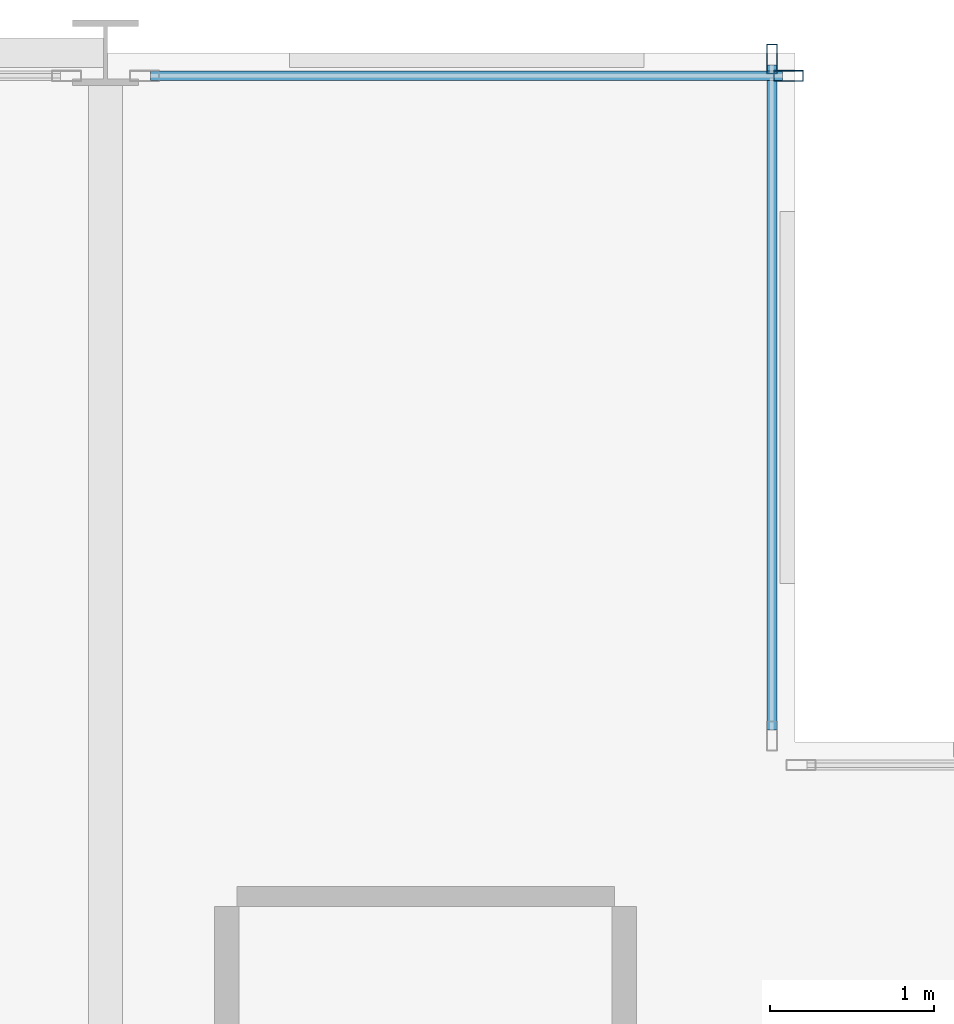
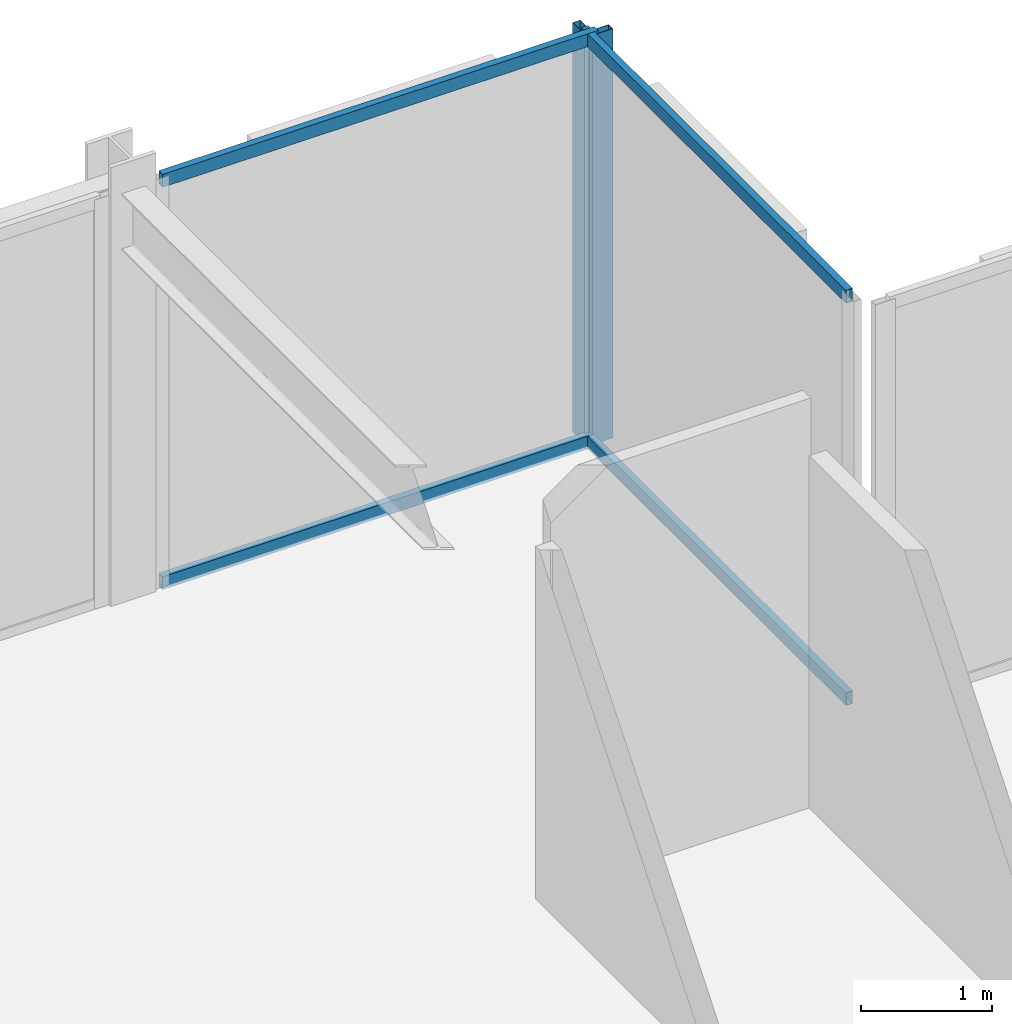
# One storey, part 30 of 38: 6 members, 2 elements without a shape of their own.
"""IFC4 building model written with IfcOpenShell, lengths in metres."""

import ifcopenshell
import ifcopenshell.guid

model = None  # the IFC model being written
_history = None  # IfcOwnerHistory: only IFC2X3 demands one
_inside = {}  # id of a spatial element -> (the spatial element, [elements in it])
_under = {}  # id of a project, library or spatial element -> (it, [spatial elements below it])
_declared = {}  # id of a project -> (the project, [libraries it declares])
_typed = {}  # id of a type object -> (the type object, [elements of that type])
_made_of = {}  # id of a material, layer set ... -> (it, [elements and type objects made of it])


def new_model(schema):
    """Start an empty IFC model of exactly this schema.

    Asked for "IFC4X3", IfcOpenShell would pick the latest addendum, in which some entities
    have other attributes; the version numbers below select the first issue.
    IFC2X3 requires an IfcOwnerHistory on every rooted entity: one is made here for all.
    """
    global model, _history
    if schema == "IFC4X3":
        model = ifcopenshell.file(schema_version=(4, 3, 0, 0))
    else:
        model = ifcopenshell.file(schema=schema)
    _inside.clear()
    _under.clear()
    _declared.clear()
    _typed.clear()
    _made_of.clear()
    _history = None
    if model.schema == "IFC2X3":
        org = make("IfcOrganization", Name="unknown")
        user = make(
            "IfcPersonAndOrganization",
            ThePerson=make("IfcPerson", FamilyName="unknown"),
            TheOrganization=org,
        )
        app = make(
            "IfcApplication",
            ApplicationDeveloper=org,
            Version="unknown",
            ApplicationFullName="unknown",
            ApplicationIdentifier="unknown",
        )
        _history = make(
            "IfcOwnerHistory",
            OwningUser=user,
            OwningApplication=app,
            ChangeAction="ADDED",
            CreationDate=0,
        )
    return model


def make(cls, **values):
    """One entity of the class cls with the attributes given. An attribute that is None is left unset."""
    return model.create_entity(
        cls, **{name: value for name, value in values.items() if value is not None}
    )


def rooted(cls, **values):
    """An entity with a GlobalId (a new one), such as an element, a storey or a relation."""
    return make(cls, GlobalId=ifcopenshell.guid.new(), OwnerHistory=_history, **values)


def si_unit(unit_type, name, prefix=None):
    """IfcSIUnit, for example si_unit("LENGTHUNIT", "METRE", prefix="MILLI")."""
    return make("IfcSIUnit", UnitType=unit_type, Prefix=prefix, Name=name)


def assignment(units):
    """IfcUnitAssignment: the units of a project."""
    return None if units is None else make("IfcUnitAssignment", Units=units)


def point(xyz):
    """IfcCartesianPoint."""
    return None if xyz is None else make("IfcCartesianPoint", Coordinates=xyz)


def direction(xyz):
    """IfcDirection."""
    return None if xyz is None else make("IfcDirection", DirectionRatios=xyz)


def frame(location, z_axis=None, x_axis=None):
    """IfcAxis2Placement3D, a coordinate frame: its origin and axes. An axis left out is left unset."""
    return make(
        "IfcAxis2Placement3D",
        Location=point(location),
        Axis=direction(z_axis),
        RefDirection=direction(x_axis),
    )


def frame_2d(location, x_axis=None):
    """IfcAxis2Placement2D, a coordinate frame in the plane: its origin and x axis."""
    return make(
        "IfcAxis2Placement2D", Location=point(location), RefDirection=direction(x_axis)
    )


def origin():
    """The frame at (0, 0, 0) with its axes left unset."""
    return frame((0.0, 0.0, 0.0))


def origin_2d():
    """The frame at (0, 0) in the plane with its x axis left unset."""
    return frame_2d((0.0, 0.0))


def place(relative_to, where):
    """IfcLocalPlacement: puts the frame where relative to a parent placement (None: the world)."""
    return make(
        "IfcLocalPlacement", PlacementRelTo=relative_to, RelativePlacement=where
    )


def context(
    kind, dimensions, precision=None, world=None, true_north=None, identifier=None
):
    """IfcGeometricRepresentationContext, for example the 3D "Model" context."""
    return make(
        "IfcGeometricRepresentationContext",
        ContextIdentifier=identifier,
        ContextType=kind,
        CoordinateSpaceDimension=dimensions,
        Precision=precision,
        WorldCoordinateSystem=world,
        TrueNorth=true_north,
    )


def subcontext(parent, identifier, kind, view, scale=None):
    """IfcGeometricRepresentationSubContext, for example "Body" below "Model"."""
    return make(
        "IfcGeometricRepresentationSubContext",
        ContextIdentifier=identifier,
        ContextType=kind,
        ParentContext=parent,
        TargetScale=scale,
        TargetView=view,
    )


def project(units=None, contexts=None):
    """IfcProject with its units and contexts."""
    return rooted(
        "IfcProject",
        Name="project",
        RepresentationContexts=contexts,
        UnitsInContext=assignment(units),
    )


def spatial(cls, under=None, at=None, **own):
    """A site, building, storey or space (cls), placed at a placement, below another one or the project."""
    s = rooted(cls, ObjectPlacement=at, **own)
    if under is not None:
        _under.setdefault(under.id(), (under, []))[1].append(s)
    return s


def profile(cls, at=None, kind="AREA", **sizes):
    """A parametric profile (cls). Its sizes go by their IFC names, for example OverallWidth=200.0."""
    return make(cls, ProfileType=kind, Position=at, **sizes)


def hollow_rectangle(**sizes):
    """IfcRectangleHollowProfileDef."""
    return profile("IfcRectangleHollowProfileDef", **sizes)


def extrude(swept, where, along, depth):
    """IfcExtrudedAreaSolid: the profile swept, set in the frame where, extruded along a direction by depth."""
    return make(
        "IfcExtrudedAreaSolid",
        SweptArea=swept,
        Position=where,
        ExtrudedDirection=direction(along),
        Depth=depth,
    )


def shape(context_of_items, identifier, shape_type, items):
    """IfcShapeRepresentation: the items that make up one representation, for example the "Body"."""
    return make(
        "IfcShapeRepresentation",
        ContextOfItems=context_of_items,
        RepresentationIdentifier=identifier,
        RepresentationType=shape_type,
        Items=items,
    )


def material(Name=None, Category=None):
    """IfcMaterial."""
    return make("IfcMaterial", Name=Name, Category=Category)


def layer(
    of_material, thickness, ventilated=None, Name=None, Category=None, Priority=None
):
    """IfcMaterialLayer: one layer of a wall or slab, of a material (None: an air gap)."""
    return make(
        "IfcMaterialLayer",
        Material=of_material,
        LayerThickness=thickness,
        IsVentilated=ventilated,
        Name=Name,
        Category=Category,
        Priority=Priority,
    )


def layer_set(layers, Name=None):
    """IfcMaterialLayerSet."""
    return make("IfcMaterialLayerSet", MaterialLayers=layers, LayerSetName=Name)


def material_profile(
    of_material, cross_section, Name=None, Category=None, Priority=None
):
    """IfcMaterialProfile: a cross section and its material."""
    return make(
        "IfcMaterialProfile",
        Name=Name,
        Material=of_material,
        Profile=cross_section,
        Priority=Priority,
        Category=Category,
    )


def profile_set(profiles, Name=None, composite=None):
    """IfcMaterialProfileSet."""
    return make(
        "IfcMaterialProfileSet",
        Name=Name,
        MaterialProfiles=profiles,
        CompositeProfile=composite,
    )


def made_of(thing, what):
    """Note that an element or type object is made of a material, layer set ...; save() writes the relation."""
    if what is not None:
        _made_of.setdefault(what.id(), (what, []))[1].append(thing)
    return thing


def type_object(cls, material=None, **own):
    """A type object (cls), such as IfcWallType, which elements share."""
    return made_of(rooted(cls, **own), material)


def element(
    cls,
    number,
    at=None,
    inside=None,
    cuts=None,
    type_object=None,
    material=None,
    context=None,
    identifier="Body",
    shape_type=None,
    held_by="IfcProductDefinitionShape",
    body=None,
    shapes=None,
    **own,
):
    """One element of the class cls, such as IfcWall. Its Tag is "e" and its number.

    at: its placement. inside: the storey or other place that contains it. cuts: it is an
    opening in that element (IfcRelVoidsElement). A single representation is given by context,
    identifier, shape_type and body (its items); several are given by shapes. held_by: the class
    of the entity that holds the representations. save() writes the other relations.
    """
    e = rooted(cls, Tag="e%d" % number, ObjectPlacement=at, **own)
    if body is not None:
        shapes = [shape(context, identifier, shape_type, body)]
    if shapes is not None:
        e.Representation = make(held_by, Representations=shapes)
    if inside is not None:
        _inside.setdefault(inside.id(), (inside, []))[1].append(e)
    if cuts is not None:
        rooted(
            "IfcRelVoidsElement", RelatingBuildingElement=cuts, RelatedOpeningElement=e
        )
    if type_object is not None:
        _typed.setdefault(type_object.id(), (type_object, []))[1].append(e)
    return made_of(e, material)


def aggregate(whole, parts):
    """IfcRelAggregates: a whole, such as a stair, and the parts it consists of."""
    return rooted("IfcRelAggregates", RelatingObject=whole, RelatedObjects=parts)


def save(model, path):
    """Write the relations noted so far, then the file.

    IfcRelAggregates (storeys below a building ...), IfcRelContainedInSpatialStructure (elements
    in a storey), IfcRelDefinesByType, IfcRelAssociatesMaterial and IfcRelDeclares: one each for
    every whole, place, type object, material and project.
    """
    for whole, parts in _under.values():
        aggregate(whole, parts)
    for where, things in _inside.values():
        rooted(
            "IfcRelContainedInSpatialStructure",
            RelatedElements=things,
            RelatingStructure=where,
        )
    for kind, things in _typed.values():
        rooted("IfcRelDefinesByType", RelatedObjects=things, RelatingType=kind)
    for what, things in _made_of.values():
        rooted("IfcRelAssociatesMaterial", RelatedObjects=things, RelatingMaterial=what)
    for by, libraries in _declared.values():
        rooted("IfcRelDeclares", RelatingContext=by, RelatedDefinitions=libraries)
    model.write(path)


model = new_model("IFC4")

# Units and contexts
model_context = context("Model", 3, precision=1e-05, world=origin(), true_north=direction((0.0, 1.0)))
body_context = subcontext(model_context, "Body", "Model", "MODEL_VIEW")
ifc_project = project(units=[si_unit("LENGTHUNIT", "METRE"), si_unit("AREAUNIT", "SQUARE_METRE"), si_unit("VOLUMEUNIT", "CUBIC_METRE"), si_unit("PLANEANGLEUNIT", "RADIAN"), si_unit("MASSUNIT", "GRAM", prefix="KILO")], contexts=[model_context])

# Site, building, storey
site_placement = place(None, origin())
site = spatial("IfcSite", under=ifc_project, at=site_placement, CompositionType="ELEMENT")
building_placement = place(site_placement, origin())
building = spatial("IfcBuilding", under=site, at=building_placement, Name="Nerrivon Quay Data Exchange", CompositionType="ELEMENT")
storey_placement = place(building_placement, frame((0.0, 0.0, 84.39990234375)))
storey = spatial("IfcBuildingStorey", under=building, at=storey_placement, Name="L19", CompositionType="ELEMENT", Elevation=84.39990234375)

# Curtain wall, member
ifc_material = material(Name="Anodised aluminium 6063-T6", Category="aluminium")
ifc_layer = layer(ifc_material, 0.2099609375)
ifc_layer_set = layer_set([ifc_layer], Name="Anodised aluminium 6063-T6")
curtain_wall_type = type_object("IfcCurtainWallType", Name="CW-SYS-02", PredefinedType="NOTDEFINED", material=ifc_layer_set)
curtain_wall_1_placement = place(storey_placement, origin())
curtain_wall_1 = element("IfcCurtainWall", 1, at=curtain_wall_1_placement, inside=storey, type_object=curtain_wall_type, Name="L19 Unitised Curtain Wall 26", PredefinedType="NOTDEFINED")
ifc_material_profile_1 = material_profile(ifc_material, hollow_rectangle(XDim=0.06494140625, YDim=0.179931640625, WallThickness=0.00341796875, at=origin_2d()), Name="ALU-MULL-180x65")
ifc_profile_set_1 = profile_set([ifc_material_profile_1], Name="Anodised aluminium 6063-T6")
member_type_1 = type_object("IfcMemberType", Name="CWM-180x65", PredefinedType="MULLION", material=ifc_profile_set_1)
member_1_placement = place(storey_placement, frame((20.96240234375, 50.260009765625, 0.0), z_axis=(0.0, 0.0, 1.0), x_axis=(0.0, 1.0, 0.0)))
member_1 = element("IfcMember", 2, at=member_1_placement, type_object=member_type_1, Name="CW02 mullion 2", PredefinedType="MULLION", context=body_context, shape_type="SweptSolid", body=[
    extrude(hollow_rectangle(XDim=0.06494140625, YDim=0.179931640625, WallThickness=0.00341796875, at=origin_2d()), origin(), (0.0, 0.0, 1.0), 3.8251953125),
])

curtain_wall_2_placement = place(storey_placement, origin())
curtain_wall_2 = element("IfcCurtainWall", 3, at=curtain_wall_2_placement, inside=storey, type_object=curtain_wall_type, Name="L19 Unitised Curtain Wall 27", PredefinedType="NOTDEFINED")
member_2_placement = place(storey_placement, frame((20.860107421875, 50.362548828125, 0.0), z_axis=(0.0, 0.0, 1.0), x_axis=(1.0, 0.0, 0.0)))
member_2 = element("IfcMember", 4, at=member_2_placement, type_object=member_type_1, Name="CW02 mullion 1", PredefinedType="MULLION", context=body_context, shape_type="SweptSolid", body=[
    extrude(hollow_rectangle(XDim=0.06494140625, YDim=0.179931640625, WallThickness=0.00341796875, at=origin_2d()), origin(), (0.0, 0.0, 1.0), 3.8251953125),
])

# Member
ifc_material_profile_2 = material_profile(ifc_material, hollow_rectangle(XDim=0.06005859375, YDim=0.1201171875, WallThickness=0.003173828125, at=origin_2d()), Name="ALU-TRAN-120x60")
ifc_profile_set_2 = profile_set([ifc_material_profile_2], Name="Anodised aluminium 6063-T6")
member_type_2 = type_object("IfcMemberType", Name="CWT-120x60", PredefinedType="USERDEFINED", material=ifc_profile_set_2)
member_3_placement = place(storey_placement, frame((17.074951171875, 50.260009765625, 0.03271484375), z_axis=(1.0, 0.0, 0.0), x_axis=(0.0, 1.0, 0.0)))
member_3 = element("IfcMember", 5, at=member_3_placement, type_object=member_type_2, Name="CW02 transom 1.1", ObjectType="TRANSOM", PredefinedType="USERDEFINED", context=body_context, shape_type="SweptSolid", body=[
    extrude(hollow_rectangle(XDim=0.06005859375, YDim=0.1201171875, WallThickness=0.003173828125, at=origin_2d()), origin(), (0.0, 0.0, 1.0), 3.85009765625),
])

member_4_placement = place(storey_placement, frame((17.074951171875, 50.260009765625, 3.79248046875), z_axis=(1.0, 0.0, 0.0), x_axis=(0.0, 1.0, 0.0)))
member_4 = element("IfcMember", 6, at=member_4_placement, type_object=member_type_2, Name="CW02 transom 1.2", ObjectType="TRANSOM", PredefinedType="USERDEFINED", context=body_context, shape_type="SweptSolid", body=[
    extrude(hollow_rectangle(XDim=0.06005859375, YDim=0.1201171875, WallThickness=0.003173828125, at=origin_2d()), origin(), (0.0, 0.0, 1.0), 3.85009765625),
])

aggregate(curtain_wall_1, [member_1, member_3, member_4])

member_5_placement = place(storey_placement, frame((20.860107421875, 50.324951171875, 0.03271484375), z_axis=(0.0, -1.0, 0.0), x_axis=(1.0, 0.0, 0.0)))
member_5 = element("IfcMember", 7, at=member_5_placement, type_object=member_type_2, Name="CW02 transom 1.1", ObjectType="TRANSOM", PredefinedType="USERDEFINED", context=body_context, shape_type="SweptSolid", body=[
    extrude(hollow_rectangle(XDim=0.06005859375, YDim=0.1201171875, WallThickness=0.003173828125, at=origin_2d()), origin(), (0.0, 0.0, 1.0), 4.050048828125),
])

member_6_placement = place(storey_placement, frame((20.860107421875, 50.324951171875, 3.79248046875), z_axis=(0.0, -1.0, 0.0), x_axis=(1.0, 0.0, 0.0)))
member_6 = element("IfcMember", 8, at=member_6_placement, type_object=member_type_2, Name="CW02 transom 1.2", ObjectType="TRANSOM", PredefinedType="USERDEFINED", context=body_context, shape_type="SweptSolid", body=[
    extrude(hollow_rectangle(XDim=0.06005859375, YDim=0.1201171875, WallThickness=0.003173828125, at=origin_2d()), origin(), (0.0, 0.0, 1.0), 4.050048828125),
])

aggregate(curtain_wall_2, [member_2, member_5, member_6])

save(model, "model.ifc")
